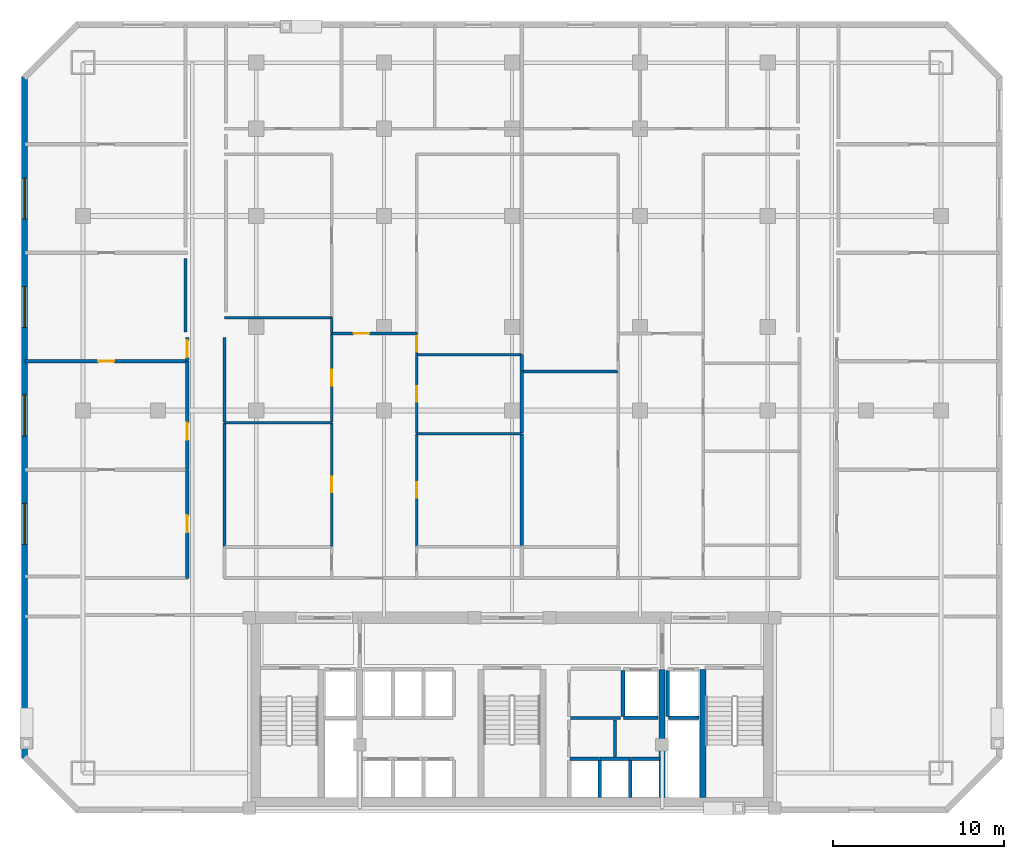
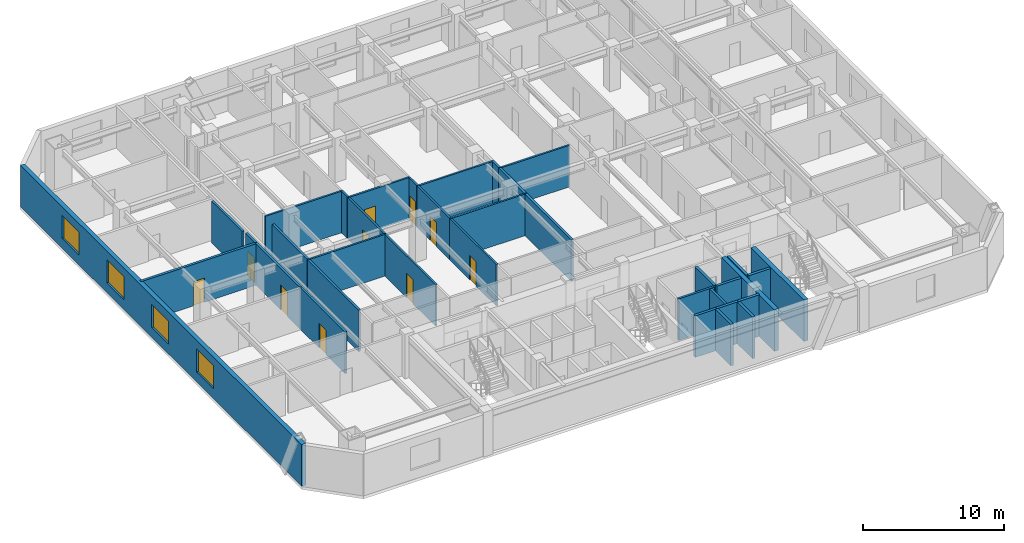
# One storey, part 4 of 9: 36 walls, 10 doors, 4 windows, 14 openings.
"""IFC4 building model written with IfcOpenShell, lengths in metres."""

import ifcopenshell
import ifcopenshell.guid

model = None  # the IFC model being written
_history = None  # IfcOwnerHistory: only IFC2X3 demands one
_inside = {}  # id of a spatial element -> (the spatial element, [elements in it])
_under = {}  # id of a project, library or spatial element -> (it, [spatial elements below it])
_declared = {}  # id of a project -> (the project, [libraries it declares])
_typed = {}  # id of a type object -> (the type object, [elements of that type])
_made_of = {}  # id of a material, layer set ... -> (it, [elements and type objects made of it])


def new_model(schema):
    """Start an empty IFC model of exactly this schema.

    Asked for "IFC4X3", IfcOpenShell would pick the latest addendum, in which some entities
    have other attributes; the version numbers below select the first issue.
    IFC2X3 requires an IfcOwnerHistory on every rooted entity: one is made here for all.
    """
    global model, _history
    if schema == "IFC4X3":
        model = ifcopenshell.file(schema_version=(4, 3, 0, 0))
    else:
        model = ifcopenshell.file(schema=schema)
    _inside.clear()
    _under.clear()
    _declared.clear()
    _typed.clear()
    _made_of.clear()
    _history = None
    if model.schema == "IFC2X3":
        org = make("IfcOrganization", Name="unknown")
        user = make(
            "IfcPersonAndOrganization",
            ThePerson=make("IfcPerson", FamilyName="unknown"),
            TheOrganization=org,
        )
        app = make(
            "IfcApplication",
            ApplicationDeveloper=org,
            Version="unknown",
            ApplicationFullName="unknown",
            ApplicationIdentifier="unknown",
        )
        _history = make(
            "IfcOwnerHistory",
            OwningUser=user,
            OwningApplication=app,
            ChangeAction="ADDED",
            CreationDate=0,
        )
    return model


def make(cls, **values):
    """One entity of the class cls with the attributes given. An attribute that is None is left unset."""
    return model.create_entity(
        cls, **{name: value for name, value in values.items() if value is not None}
    )


def rooted(cls, **values):
    """An entity with a GlobalId (a new one), such as an element, a storey or a relation."""
    return make(cls, GlobalId=ifcopenshell.guid.new(), OwnerHistory=_history, **values)


def si_unit(unit_type, name, prefix=None):
    """IfcSIUnit, for example si_unit("LENGTHUNIT", "METRE", prefix="MILLI")."""
    return make("IfcSIUnit", UnitType=unit_type, Prefix=prefix, Name=name)


def assignment(units):
    """IfcUnitAssignment: the units of a project."""
    return None if units is None else make("IfcUnitAssignment", Units=units)


def point(xyz):
    """IfcCartesianPoint."""
    return None if xyz is None else make("IfcCartesianPoint", Coordinates=xyz)


def direction(xyz):
    """IfcDirection."""
    return None if xyz is None else make("IfcDirection", DirectionRatios=xyz)


def frame(location, z_axis=None, x_axis=None):
    """IfcAxis2Placement3D, a coordinate frame: its origin and axes. An axis left out is left unset."""
    return make(
        "IfcAxis2Placement3D",
        Location=point(location),
        Axis=direction(z_axis),
        RefDirection=direction(x_axis),
    )


def frame_2d(location, x_axis=None):
    """IfcAxis2Placement2D, a coordinate frame in the plane: its origin and x axis."""
    return make(
        "IfcAxis2Placement2D", Location=point(location), RefDirection=direction(x_axis)
    )


def origin():
    """The frame at (0, 0, 0) with its axes left unset."""
    return frame((0.0, 0.0, 0.0))


def place(relative_to, where):
    """IfcLocalPlacement: puts the frame where relative to a parent placement (None: the world)."""
    return make(
        "IfcLocalPlacement", PlacementRelTo=relative_to, RelativePlacement=where
    )


def context(
    kind, dimensions, precision=None, world=None, true_north=None, identifier=None
):
    """IfcGeometricRepresentationContext, for example the 3D "Model" context."""
    return make(
        "IfcGeometricRepresentationContext",
        ContextIdentifier=identifier,
        ContextType=kind,
        CoordinateSpaceDimension=dimensions,
        Precision=precision,
        WorldCoordinateSystem=world,
        TrueNorth=true_north,
    )


def subcontext(parent, identifier, kind, view, scale=None):
    """IfcGeometricRepresentationSubContext, for example "Body" below "Model"."""
    return make(
        "IfcGeometricRepresentationSubContext",
        ContextIdentifier=identifier,
        ContextType=kind,
        ParentContext=parent,
        TargetScale=scale,
        TargetView=view,
    )


def project(units=None, contexts=None):
    """IfcProject with its units and contexts."""
    return rooted(
        "IfcProject",
        Name="project",
        RepresentationContexts=contexts,
        UnitsInContext=assignment(units),
    )


def spatial(cls, under=None, at=None, **own):
    """A site, building, storey or space (cls), placed at a placement, below another one or the project."""
    s = rooted(cls, ObjectPlacement=at, **own)
    if under is not None:
        _under.setdefault(under.id(), (under, []))[1].append(s)
    return s


def profile(cls, at=None, kind="AREA", **sizes):
    """A parametric profile (cls). Its sizes go by their IFC names, for example OverallWidth=200.0."""
    return make(cls, ProfileType=kind, Position=at, **sizes)


def rectangle(**sizes):
    """IfcRectangleProfileDef."""
    return profile("IfcRectangleProfileDef", **sizes)


def extrude(swept, where, along, depth):
    """IfcExtrudedAreaSolid: the profile swept, set in the frame where, extruded along a direction by depth."""
    return make(
        "IfcExtrudedAreaSolid",
        SweptArea=swept,
        Position=where,
        ExtrudedDirection=direction(along),
        Depth=depth,
    )


def shape(context_of_items, identifier, shape_type, items):
    """IfcShapeRepresentation: the items that make up one representation, for example the "Body"."""
    return make(
        "IfcShapeRepresentation",
        ContextOfItems=context_of_items,
        RepresentationIdentifier=identifier,
        RepresentationType=shape_type,
        Items=items,
    )


def material(Name=None, Category=None):
    """IfcMaterial."""
    return make("IfcMaterial", Name=Name, Category=Category)


def layer(
    of_material, thickness, ventilated=None, Name=None, Category=None, Priority=None
):
    """IfcMaterialLayer: one layer of a wall or slab, of a material (None: an air gap)."""
    return make(
        "IfcMaterialLayer",
        Material=of_material,
        LayerThickness=thickness,
        IsVentilated=ventilated,
        Name=Name,
        Category=Category,
        Priority=Priority,
    )


def layer_set(layers, Name=None):
    """IfcMaterialLayerSet."""
    return make("IfcMaterialLayerSet", MaterialLayers=layers, LayerSetName=Name)


def made_of(thing, what):
    """Note that an element or type object is made of a material, layer set ...; save() writes the relation."""
    if what is not None:
        _made_of.setdefault(what.id(), (what, []))[1].append(thing)
    return thing


def type_object(cls, material=None, **own):
    """A type object (cls), such as IfcWallType, which elements share."""
    return made_of(rooted(cls, **own), material)


def element(
    cls,
    number,
    at=None,
    inside=None,
    cuts=None,
    type_object=None,
    material=None,
    context=None,
    identifier="Body",
    shape_type=None,
    held_by="IfcProductDefinitionShape",
    body=None,
    shapes=None,
    **own,
):
    """One element of the class cls, such as IfcWall. Its Tag is "e" and its number.

    at: its placement. inside: the storey or other place that contains it. cuts: it is an
    opening in that element (IfcRelVoidsElement). A single representation is given by context,
    identifier, shape_type and body (its items); several are given by shapes. held_by: the class
    of the entity that holds the representations. save() writes the other relations.
    """
    e = rooted(cls, Tag="e%d" % number, ObjectPlacement=at, **own)
    if body is not None:
        shapes = [shape(context, identifier, shape_type, body)]
    if shapes is not None:
        e.Representation = make(held_by, Representations=shapes)
    if inside is not None:
        _inside.setdefault(inside.id(), (inside, []))[1].append(e)
    if cuts is not None:
        rooted(
            "IfcRelVoidsElement", RelatingBuildingElement=cuts, RelatedOpeningElement=e
        )
    if type_object is not None:
        _typed.setdefault(type_object.id(), (type_object, []))[1].append(e)
    return made_of(e, material)


def fill(opening, filler):
    """IfcRelFillsElement: the door or window that sits in an opening."""
    return rooted(
        "IfcRelFillsElement",
        RelatingOpeningElement=opening,
        RelatedBuildingElement=filler,
    )


def aggregate(whole, parts):
    """IfcRelAggregates: a whole, such as a stair, and the parts it consists of."""
    return rooted("IfcRelAggregates", RelatingObject=whole, RelatedObjects=parts)


def save(model, path):
    """Write the relations noted so far, then the file.

    IfcRelAggregates (storeys below a building ...), IfcRelContainedInSpatialStructure (elements
    in a storey), IfcRelDefinesByType, IfcRelAssociatesMaterial and IfcRelDeclares: one each for
    every whole, place, type object, material and project.
    """
    for whole, parts in _under.values():
        aggregate(whole, parts)
    for where, things in _inside.values():
        rooted(
            "IfcRelContainedInSpatialStructure",
            RelatedElements=things,
            RelatingStructure=where,
        )
    for kind, things in _typed.values():
        rooted("IfcRelDefinesByType", RelatedObjects=things, RelatingType=kind)
    for what, things in _made_of.values():
        rooted("IfcRelAssociatesMaterial", RelatedObjects=things, RelatingMaterial=what)
    for by, libraries in _declared.values():
        rooted("IfcRelDeclares", RelatingContext=by, RelatedDefinitions=libraries)
    model.write(path)


model = new_model("IFC4")

# Units and contexts
model_context = context("Model", 3, precision=1e-05, world=origin(), true_north=direction((0.0, 1.0)))
body_context = subcontext(model_context, "Body", "Model", "MODEL_VIEW")
ifc_project = project(units=[si_unit("LENGTHUNIT", "METRE"), si_unit("AREAUNIT", "SQUARE_METRE"), si_unit("VOLUMEUNIT", "CUBIC_METRE"), si_unit("PLANEANGLEUNIT", "RADIAN"), si_unit("MASSUNIT", "GRAM", prefix="KILO")], contexts=[model_context])

# Site, building, storey
site_placement = place(None, origin())
site = spatial("IfcSite", under=ifc_project, at=site_placement, CompositionType="ELEMENT")
building_placement = place(site_placement, origin())
building = spatial("IfcBuilding", under=site, at=building_placement, Name="Ventersveld Concourse Tower", CompositionType="ELEMENT")
storey_placement = place(building_placement, frame((0.0, 0.0, 84.89990234375)))
storey = spatial("IfcBuildingStorey", under=building, at=storey_placement, Name="L20", CompositionType="ELEMENT", Elevation=84.89990234375)

# Walls
ifc_material_1 = material(Name="Concrete C60/75", Category="concrete")
ifc_layer_1 = layer(ifc_material_1, 0.35009765625)
ifc_layer_set_1 = layer_set([ifc_layer_1], Name="Concrete C60/75")
wall_type_1 = type_object("IfcWallType", Name="WL-CORE-350L", PredefinedType="SHEAR", material=ifc_layer_set_1)
for number, where, z_axis, x_axis, name in (
    (1, (37.550048828125, 0.919921875, 0.0), (0.0, 0.0, 1.0), (0.0, 1.0, 0.0), "L20 Core Internal Shear Web W-SVL-W"),
    (2, (39.9599609375, 0.919921875, 0.0), (0.0, 0.0, 1.0), (0.0, 1.0, 0.0), "L20 Core Internal Shear Web W-ST2-W"),
):
    element("IfcWall", number, at=place(storey_placement, frame(where, z_axis=z_axis, x_axis=x_axis)), inside=storey, type_object=wall_type_1, Name=name, PredefinedType="SHEAR", context=body_context, shape_type="SweptSolid", body=[
        extrude(rectangle(XDim=7.5, YDim=0.35009765625, at=frame_2d((3.75, 0.0))), origin(), (0.0, 0.0, 1.0), 3.60009765625),
    ])
ifc_material_2 = material(Name="Fire-rated autoclaved aerated masonry blockwork", Category="masonry")
ifc_layer_2 = layer(ifc_material_2, 0.179931640625)
ifc_layer_set_2 = layer_set([ifc_layer_2], Name="Fire-rated autoclaved aerated masonry blockwork")
wall_type_2 = type_object("IfcWallType", Name="WL-CORR-180", PredefinedType="PARTITIONING", material=ifc_layer_set_2)
wall_1_placement = place(storey_placement, frame((32.179931640625, 5.570068359375, 0.0), z_axis=(0.0, 0.0, 1.0), x_axis=(1.0, 0.0, 0.0)))
element("IfcWall", 3, at=wall_1_placement, inside=storey, type_object=wall_type_2, Name="L20 Core Bot Wall SP-L20-CBAY1", PredefinedType="PARTITIONING", context=body_context, shape_type="SweptSolid", body=[
    extrude(rectangle(XDim=2.920166015625, YDim=0.179931640625, at=frame_2d((1.4599609375, 0.0))), origin(), (0.0, 0.0, 1.0), 3.60009765625),
])
wall_2_placement = place(storey_placement, frame((34.780029296875, 3.280029296875, 0.0), z_axis=(0.0, 0.0, 1.0), x_axis=(0.0, 1.0, 0.0)))
element("IfcWall", 4, at=wall_2_placement, inside=storey, type_object=wall_type_2, Name="L20 Core East Wall SP-L20-CBAY2", PredefinedType="PARTITIONING", context=body_context, shape_type="SweptSolid", body=[
    extrude(rectangle(XDim=2.169921875, YDim=0.179931640625, at=frame_2d((1.0849609375, 0.0))), origin(), (0.0, 0.0, 1.0), 3.60009765625),
])

# Wall, opening, door
wall_3_placement = place(storey_placement, frame((9.7099609375, 13.764892578125, 0.0), z_axis=(0.0, 0.0, 1.0), x_axis=(0.0, 1.0, 0.0)))
wall_3 = element("IfcWall", 5, at=wall_3_placement, inside=storey, type_object=wall_type_2, Name="L20 Interior Partition SP-L20-COR-SP-L20-NWLNG1", PredefinedType="PARTITIONING", context=body_context, shape_type="SweptSolid", body=[
    extrude(rectangle(XDim=6.3701171875, YDim=0.179931640625, at=frame_2d((3.18505859375, 0.0))), origin(), (0.0, 0.0, 1.0), 3.60009765625),
])
opening_1_placement = place(wall_3_placement, frame((2.68505859375, 0.0, 0.0)))
opening_1 = element("IfcOpeningElement", 6, at=opening_1_placement, cuts=wall_3, Name="Opening FD3", PredefinedType="OPENING", context=body_context, shape_type="SweptSolid", body=[
    extrude(rectangle(XDim=1.0, YDim=2.14990234375, at=frame_2d((0.5, 1.074951171875))), frame((0.0, 0.10009765625, 0.0), z_axis=(0.0, -1.0, 0.0), x_axis=(1.0, 0.0, 0.0)), (0.0, 0.0, 1.0), 0.199951171875),
])
ifc_material_3 = material(Name="Solid-core hardwood veneer timber", Category="wood")
door_type_1 = type_object("IfcDoorType", Name="DR-FLAT-100", OperationType="NOTDEFINED", PredefinedType="DOOR", material=ifc_material_3)
door_1_placement = place(opening_1_placement, origin())
door_1 = element("IfcDoor", 7, at=door_1_placement, inside=storey, type_object=door_type_1, Name="L20 Interior Door SP-L20-COR to SP-L20-NWLNG1 (D-L20-0955)", OperationType="SINGLE_SWING_LEFT", OverallHeight=2.14990234375, OverallWidth=1.0, PredefinedType="DOOR", context=body_context, shape_type="SweptSolid", body=[
    extrude(rectangle(XDim=1.0, YDim=2.14990234375, at=frame_2d((0.5, 1.074951171875))), frame((0.0, 0.02490234375, 0.0), z_axis=(0.0, -1.0, 0.0), x_axis=(1.0, 0.0, 0.0)), (0.0, 0.0, 1.0), 0.050048828125),
])
fill(opening_1, door_1)

wall_4_placement = place(storey_placement, frame((9.7099609375, 20.1650390625, 0.0), z_axis=(0.0, 0.0, 1.0), x_axis=(0.0, 1.0, 0.0)))
wall_4 = element("IfcWall", 8, at=wall_4_placement, inside=storey, type_object=wall_type_2, Name="L20 Interior Partition SP-L20-COR-SP-L20-NWLNG2", PredefinedType="PARTITIONING", context=body_context, shape_type="SweptSolid", body=[
    extrude(rectangle(XDim=6.330078125, YDim=0.179931640625, at=frame_2d((3.1650390625, 0.0))), origin(), (0.0, 0.0, 1.0), 3.60009765625),
])
opening_2_placement = place(wall_4_placement, frame((1.715576171875, 0.0, 0.0)))
opening_2 = element("IfcOpeningElement", 9, at=opening_2_placement, cuts=wall_4, Name="Opening FD3", PredefinedType="OPENING", context=body_context, shape_type="SweptSolid", body=[
    extrude(rectangle(XDim=1.0, YDim=2.14990234375, at=frame_2d((0.5, 1.074951171875))), frame((0.0, 0.10009765625, 0.0), z_axis=(0.0, -1.0, 0.0), x_axis=(1.0, 0.0, 0.0)), (0.0, 0.0, 1.0), 0.199951171875),
])
door_2_placement = place(opening_2_placement, origin())
door_2 = element("IfcDoor", 10, at=door_2_placement, inside=storey, type_object=door_type_1, Name="L20 Interior Door SP-L20-COR to SP-L20-NWLNG2 (D-L20-0956)", OperationType="SINGLE_SWING_RIGHT", OverallHeight=2.14990234375, OverallWidth=1.0, PredefinedType="DOOR", context=body_context, shape_type="SweptSolid", body=[
    extrude(rectangle(XDim=1.0, YDim=2.14990234375, at=frame_2d((0.5, 1.074951171875))), frame((0.0, 0.02490234375, 0.0), z_axis=(0.0, -1.0, 0.0), x_axis=(1.0, 0.0, 0.0)), (0.0, 0.0, 1.0), 0.050048828125),
])
fill(opening_2, door_2)

wall_5_placement = place(storey_placement, frame((9.7099609375, 26.52490234375, 0.0), z_axis=(0.0, 0.0, 1.0), x_axis=(0.0, 1.0, 0.0)))
wall_5 = element("IfcWall", 11, at=wall_5_placement, inside=storey, type_object=wall_type_2, Name="L20 Interior Partition SP-L20-COR-SP-L20-NWLNG3", PredefinedType="PARTITIONING", context=body_context, shape_type="SweptSolid", body=[
    extrude(rectangle(XDim=1.3701171875, YDim=0.179931640625, at=frame_2d((0.68505859375, 0.0))), origin(), (0.0, 0.0, 1.0), 3.60009765625),
])
opening_3_placement = place(wall_5_placement, frame((0.18505859375, 0.0, 0.0)))
opening_3 = element("IfcOpeningElement", 12, at=opening_3_placement, cuts=wall_5, Name="Opening FD3", PredefinedType="OPENING", context=body_context, shape_type="SweptSolid", body=[
    extrude(rectangle(XDim=1.0, YDim=2.14990234375, at=frame_2d((0.5, 1.074951171875))), frame((0.0, 0.10009765625, 0.0), z_axis=(0.0, -1.0, 0.0), x_axis=(1.0, 0.0, 0.0)), (0.0, 0.0, 1.0), 0.199951171875),
])
door_3_placement = place(opening_3_placement, origin())
door_3 = element("IfcDoor", 13, at=door_3_placement, inside=storey, type_object=door_type_1, Name="L20 Interior Door SP-L20-COR to SP-L20-NWLNG3 (D-L20-0957)", OperationType="SINGLE_SWING_LEFT", OverallHeight=2.14990234375, OverallWidth=1.0, PredefinedType="DOOR", context=body_context, shape_type="SweptSolid", body=[
    extrude(rectangle(XDim=1.0, YDim=2.14990234375, at=frame_2d((0.5, 1.074951171875))), frame((0.0, 0.02490234375, 0.0), z_axis=(0.0, -1.0, 0.0), x_axis=(1.0, 0.0, 0.0)), (0.0, 0.0, 1.0), 0.050048828125),
])
fill(opening_3, door_3)

# Walls
wall_6_placement = place(storey_placement, frame((11.889892578125, 15.635009765625, 0.0), z_axis=(0.0, 0.0, 1.0), x_axis=(0.0, 1.0, 0.0)))
element("IfcWall", 14, at=wall_6_placement, inside=storey, type_object=wall_type_2, Name="L20 Interior Partition SP-L20-COR-SP-L20-20N1-OFFL0", PredefinedType="PARTITIONING", context=body_context, shape_type="SweptSolid", body=[
    extrude(rectangle(XDim=7.24755859375, YDim=0.179931640625, at=frame_2d((3.623779296875, 0.0))), origin(), (0.0, 0.0, 1.0), 3.60009765625),
])
wall_7_placement = place(storey_placement, frame((11.889892578125, 22.91259765625, 0.0), z_axis=(0.0, 0.0, 1.0), x_axis=(0.0, 1.0, 0.0)))
element("IfcWall", 15, at=wall_7_placement, inside=storey, type_object=wall_type_2, Name="L20 Interior Partition SP-L20-COR-SP-L20-20N1-SEML2", PredefinedType="PARTITIONING", context=body_context, shape_type="SweptSolid", body=[
    extrude(rectangle(XDim=4.982421875, YDim=0.179931640625, at=frame_2d((2.4912109375, 0.0))), origin(), (0.0, 0.0, 1.0), 3.60009765625),
])
wall_8_placement = place(storey_placement, frame((9.6201171875, 32.52490234375, 0.0), z_axis=(0.0, 0.0, 1.0), x_axis=(0.0, -1.0, 0.0)))
element("IfcWall", 16, at=wall_8_placement, inside=storey, type_object=wall_type_2, Name="L20 Room Enclosure Wall SP-L20-NWLNG3", PredefinedType="PARTITIONING", context=body_context, shape_type="SweptSolid", body=[
    extrude(rectangle(XDim=4.31494140625, YDim=0.179931640625, at=frame_2d((2.157470703125, 0.0))), origin(), (0.0, 0.0, 1.0), 3.60009765625),
])

# Wall, opening, door
ifc_layer_3 = layer(ifc_material_2, 0.199951171875)
ifc_layer_set_3 = layer_set([ifc_layer_3], Name="Fire-rated autoclaved aerated masonry blockwork")
wall_type_3 = type_object("IfcWallType", Name="WL-DEMISE-200", PredefinedType="PARTITIONING", material=ifc_layer_set_3)
wall_9_placement = place(storey_placement, frame((0.2099609375, 26.489990234375, 0.0), z_axis=(0.0, 0.0, 1.0), x_axis=(1.0, 0.0, 0.0)))
wall_9 = element("IfcWall", 17, at=wall_9_placement, inside=storey, type_object=wall_type_3, Name="L20 Interior Partition SP-L20-NWLNG2-SP-L20-NWLNG3", PredefinedType="PARTITIONING", context=body_context, shape_type="SweptSolid", body=[
    extrude(rectangle(XDim=9.505126953125, YDim=0.199951171875, at=frame_2d((4.75244140625, 0.0))), origin(), (0.0, 0.0, 1.0), 3.60009765625),
])
opening_4_placement = place(wall_9_placement, frame((4.29248046875, 0.0, 0.0)))
opening_4 = element("IfcOpeningElement", 18, at=opening_4_placement, cuts=wall_9, Name="Opening ID1", PredefinedType="OPENING", context=body_context, shape_type="SweptSolid", body=[
    extrude(rectangle(XDim=0.919921875, YDim=2.10009765625, at=frame_2d((0.4599609375, 1.050048828125))), frame((0.0, 0.10986328125, 0.0), z_axis=(0.0, -1.0, 0.0), x_axis=(1.0, 0.0, 0.0)), (0.0, 0.0, 1.0), 0.219970703125),
])
door_type_2 = type_object("IfcDoorType", Name="DR-ROOM-092", OperationType="NOTDEFINED", PredefinedType="DOOR", material=ifc_material_3)
door_4_placement = place(opening_4_placement, origin())
door_4 = element("IfcDoor", 19, at=door_4_placement, inside=storey, type_object=door_type_2, Name="L20 Interior Door SP-L20-NWLNG2 to SP-L20-NWLNG3 (D-L20-0964)", OperationType="SINGLE_SWING_RIGHT", OverallHeight=2.10009765625, OverallWidth=0.919921875, PredefinedType="DOOR", context=body_context, shape_type="SweptSolid", body=[
    extrude(rectangle(XDim=0.919921875, YDim=2.10009765625, at=frame_2d((0.4599609375, 1.050048828125))), frame((0.0, 0.02490234375, 0.0), z_axis=(0.0, -1.0, 0.0), x_axis=(1.0, 0.0, 0.0)), (0.0, 0.0, 1.0), 0.050048828125),
])
fill(opening_4, door_4)

# Walls
wall_10_placement = place(storey_placement, frame((29.314208984375, 15.635009765625, 0.0), z_axis=(0.0, 0.0, 1.0), x_axis=(0.0, 1.0, 0.0)))
element("IfcWall", 20, at=wall_10_placement, inside=storey, type_object=wall_type_3, Name="L20 Interior Partition SP-L20-20N1-OFFR1-SP-L20-20N2-OFFL0", PredefinedType="PARTITIONING", context=body_context, shape_type="SweptSolid", body=[
    extrude(rectangle(XDim=6.602783203125, YDim=0.199951171875, at=frame_2d((3.30126953125, 0.0))), origin(), (0.0, 0.0, 1.0), 3.60009765625),
])
wall_11_placement = place(storey_placement, frame((29.314208984375, 22.267578125, 0.0), z_axis=(0.0, 0.0, 1.0), x_axis=(0.0, 1.0, 0.0)))
element("IfcWall", 21, at=wall_11_placement, inside=storey, type_object=wall_type_3, Name="L20 Interior Partition SP-L20-20N1-SEMR3-SP-L20-20N2-OFFL0", PredefinedType="PARTITIONING", context=body_context, shape_type="SweptSolid", body=[
    extrude(rectangle(XDim=3.623779296875, YDim=0.199951171875, at=frame_2d((1.81201171875, 0.0))), origin(), (0.0, 0.0, 1.0), 3.60009765625),
])
wall_12_placement = place(storey_placement, frame((29.314208984375, 25.92138671875, 0.0), z_axis=(0.0, 0.0, 1.0), x_axis=(0.0, 1.0, 0.0)))
element("IfcWall", 22, at=wall_12_placement, inside=storey, type_object=wall_type_3, Name="L20 Interior Partition SP-L20-20N1-SEMR3-SP-L20-20N2-SEML2", PredefinedType="PARTITIONING", context=body_context, shape_type="SweptSolid", body=[
    extrude(rectangle(XDim=0.961669921875, YDim=0.199951171875, at=frame_2d((0.48095703125, 0.0))), origin(), (0.0, 0.0, 1.0), 3.60009765625),
])
ifc_layer_4 = layer(ifc_material_2, 0.219970703125)
ifc_layer_set_4 = layer_set([ifc_layer_4], Name="Fire-rated autoclaved aerated masonry blockwork")
wall_type_4 = type_object("IfcWallType", Name="WL-HOIST-220", PredefinedType="SOLIDWALL", material=ifc_layer_set_4)
wall_13_placement = place(storey_placement, frame((37.919921875, 5.590087890625, 0.0), z_axis=(0.0, 0.0, 1.0), x_axis=(1.0, 0.0, 0.0)))
element("IfcWall", 23, at=wall_13_placement, inside=storey, type_object=wall_type_4, Name="L20 Lift Hoistway Back Wall FFL-02", PredefinedType="SOLIDWALL", context=body_context, shape_type="SweptSolid", body=[
    extrude(rectangle(XDim=1.780029296875, YDim=0.219970703125, at=frame_2d((0.89013671875, 0.0))), origin(), (0.0, 0.0, 1.0), 3.60009765625),
])
wall_14_placement = place(storey_placement, frame((37.8798828125, 5.64990234375, 0.0), z_axis=(0.0, 0.0, 1.0), x_axis=(0.0, 1.0, 0.0)))
element("IfcWall", 24, at=wall_14_placement, inside=storey, type_object=wall_type_4, Name="L20 Lift Hoistway Side Wall FFL-02W", PredefinedType="SOLIDWALL", context=body_context, shape_type="SweptSolid", body=[
    extrude(rectangle(XDim=2.7001953125, YDim=0.219970703125, at=frame_2d((1.35009765625, 0.0))), origin(), (0.0, 0.0, 1.0), 3.60009765625),
])
wall_15_placement = place(storey_placement, frame((35.300048828125, 5.590087890625, 0.0), z_axis=(0.0, 0.0, 1.0), x_axis=(1.0, 0.0, 0.0)))
element("IfcWall", 25, at=wall_15_placement, inside=storey, type_object=wall_type_4, Name="L20 Lift Hoistway Back Wall SVL-01", PredefinedType="SOLIDWALL", context=body_context, shape_type="SweptSolid", body=[
    extrude(rectangle(XDim=2.0, YDim=0.219970703125, at=frame_2d((1.0, 0.0))), origin(), (0.0, 0.0, 1.0), 3.60009765625),
])
wall_16_placement = place(storey_placement, frame((35.260009765625, 5.64990234375, 0.0), z_axis=(0.0, 0.0, 1.0), x_axis=(0.0, 1.0, 0.0)))
element("IfcWall", 26, at=wall_16_placement, inside=storey, type_object=wall_type_4, Name="L20 Lift Hoistway Side Wall SVL-01W", PredefinedType="SOLIDWALL", context=body_context, shape_type="SweptSolid", body=[
    extrude(rectangle(XDim=2.7001953125, YDim=0.219970703125, at=frame_2d((1.35009765625, 0.0))), origin(), (0.0, 0.0, 1.0), 3.60009765625),
])
wall_17_placement = place(storey_placement, frame((33.89990234375, 0.89990234375, 0.0), z_axis=(0.0, 0.0, 1.0), x_axis=(0.0, 1.0, 0.0)))
element("IfcWall", 27, at=wall_17_placement, inside=storey, type_object=wall_type_4, Name="L20 Lift Hoistway Side Wall PM-01E", PredefinedType="SOLIDWALL", context=body_context, shape_type="SweptSolid", body=[
    extrude(rectangle(XDim=2.2001953125, YDim=0.219970703125, at=frame_2d((1.10009765625, 0.0))), origin(), (0.0, 0.0, 1.0), 3.60009765625),
])
wall_18_placement = place(storey_placement, frame((32.139892578125, 3.179931640625, 0.0), z_axis=(0.0, 0.0, 1.0), x_axis=(1.0, 0.0, 0.0)))
element("IfcWall", 28, at=wall_18_placement, inside=storey, type_object=wall_type_4, Name="L20 Lift Hoistway Front Wall PM-01", PredefinedType="SOLIDWALL", context=body_context, shape_type="SweptSolid", body=[
    extrude(rectangle(XDim=1.739990234375, YDim=0.219970703125, at=frame_2d((0.8701171875, 0.0))), origin(), (0.0, 0.0, 1.0), 3.60009765625),
])
wall_19_placement = place(storey_placement, frame((35.679931640625, 0.89990234375, 0.0), z_axis=(0.0, 0.0, 1.0), x_axis=(0.0, 1.0, 0.0)))
element("IfcWall", 29, at=wall_19_placement, inside=storey, type_object=wall_type_4, Name="L20 Lift Hoistway Side Wall PM-02E", PredefinedType="SOLIDWALL", context=body_context, shape_type="SweptSolid", body=[
    extrude(rectangle(XDim=2.2001953125, YDim=0.219970703125, at=frame_2d((1.10009765625, 0.0))), origin(), (0.0, 0.0, 1.0), 3.60009765625),
])
for number, where, z_axis, x_axis, name in (
    (30, (33.919921875, 3.179931640625, 0.0), (0.0, 0.0, 1.0), (1.0, 0.0, 0.0), "L20 Lift Hoistway Front Wall PM-02"),
    (31, (35.699951171875, 3.179931640625, 0.0), (0.0, 0.0, 1.0), (1.0, 0.0, 0.0), "L20 Lift Hoistway Front Wall PM-03"),
):
    element("IfcWall", number, at=place(storey_placement, frame(where, z_axis=z_axis, x_axis=x_axis)), inside=storey, type_object=wall_type_4, Name=name, PredefinedType="SOLIDWALL", context=body_context, shape_type="SweptSolid", body=[
        extrude(rectangle(XDim=1.739990234375, YDim=0.219970703125, at=frame_2d((0.8701171875, 0.0))), origin(), (0.0, 0.0, 1.0), 3.60009765625),
    ])

# Wall, opening, door
ifc_material_4 = material(Name="Autoclaved aerated masonry blockwork", Category="masonry")
ifc_layer_5 = layer(ifc_material_4, 0.14990234375)
ifc_layer_set_5 = layer_set([ifc_layer_5], Name="Autoclaved aerated masonry blockwork")
wall_type_5 = type_object("IfcWallType", Name="WL-INT-150", PredefinedType="PARTITIONING", material=ifc_layer_set_5)
wall_20_placement = place(storey_placement, frame((18.1787109375, 28.11669921875, 0.0), z_axis=(0.0, 0.0, 1.0), x_axis=(1.0, 0.0, 0.0)))
wall_20 = element("IfcWall", 32, at=wall_20_placement, inside=storey, type_object=wall_type_5, Name="L20 Interior Partition SP-L20-20N1-FOY-SP-L20-20N1-LIV", PredefinedType="PARTITIONING", context=body_context, shape_type="SweptSolid", body=[
    extrude(rectangle(XDim=4.989990234375, YDim=0.14990234375, at=frame_2d((2.4951171875, 0.0))), origin(), (0.0, 0.0, 1.0), 3.60009765625),
])
opening_5_placement = place(wall_20_placement, frame((1.28662109375, 0.0, 0.0)))
opening_5 = element("IfcOpeningElement", 33, at=opening_5_placement, cuts=wall_20, Name="Opening ID1", PredefinedType="OPENING", context=body_context, shape_type="SweptSolid", body=[
    extrude(rectangle(XDim=0.919921875, YDim=2.10009765625, at=frame_2d((0.4599609375, 1.050048828125))), frame((0.0, 0.0849609375, 0.0), z_axis=(0.0, -1.0, 0.0), x_axis=(1.0, 0.0, 0.0)), (0.0, 0.0, 1.0), 0.169921875),
])
door_5_placement = place(opening_5_placement, origin())
door_5 = element("IfcDoor", 34, at=door_5_placement, inside=storey, type_object=door_type_2, Name="L20 Interior Door SP-L20-20N1-FOY to SP-L20-20N1-LIV (D-L20-0971)", OperationType="SINGLE_SWING_LEFT", OverallHeight=2.10009765625, OverallWidth=0.919921875, PredefinedType="DOOR", context=body_context, shape_type="SweptSolid", body=[
    extrude(rectangle(XDim=0.919921875, YDim=2.10009765625, at=frame_2d((0.4599609375, 1.050048828125))), frame((0.0, 0.02490234375, 0.0), z_axis=(0.0, -1.0, 0.0), x_axis=(1.0, 0.0, 0.0)), (0.0, 0.0, 1.0), 0.050048828125),
])
fill(opening_5, door_5)

wall_21_placement = place(storey_placement, frame((18.183837890625, 15.635009765625, 0.0), z_axis=(0.0, 0.0, 1.0), x_axis=(0.0, 1.0, 0.0)))
wall_21 = element("IfcWall", 35, at=wall_21_placement, inside=storey, type_object=wall_type_5, Name="L20 Interior Partition SP-L20-20N1-FOY-SP-L20-20N1-OFFL0", PredefinedType="PARTITIONING", context=body_context, shape_type="SweptSolid", body=[
    extrude(rectangle(XDim=7.24755859375, YDim=0.14990234375, at=frame_2d((3.623779296875, 0.0))), origin(), (0.0, 0.0, 1.0), 3.60009765625),
])
opening_6_placement = place(wall_21_placement, frame((3.163818359375, 0.0, 0.0)))
opening_6 = element("IfcOpeningElement", 36, at=opening_6_placement, cuts=wall_21, Name="Opening ID1", PredefinedType="OPENING", context=body_context, shape_type="SweptSolid", body=[
    extrude(rectangle(XDim=0.919921875, YDim=2.10009765625, at=frame_2d((0.4599609375, 1.050048828125))), frame((0.0, 0.0849609375, 0.0), z_axis=(0.0, -1.0, 0.0), x_axis=(1.0, 0.0, 0.0)), (0.0, 0.0, 1.0), 0.169921875),
])
door_6_placement = place(opening_6_placement, origin())
door_6 = element("IfcDoor", 37, at=door_6_placement, inside=storey, type_object=door_type_2, Name="L20 Interior Door SP-L20-20N1-FOY to SP-L20-20N1-OFFL0 (D-L20-0973)", OperationType="SINGLE_SWING_LEFT", OverallHeight=2.10009765625, OverallWidth=0.919921875, PredefinedType="DOOR", context=body_context, shape_type="SweptSolid", body=[
    extrude(rectangle(XDim=0.919921875, YDim=2.10009765625, at=frame_2d((0.4599609375, 1.050048828125))), frame((0.0, 0.02490234375, 0.0), z_axis=(0.0, -1.0, 0.0), x_axis=(1.0, 0.0, 0.0)), (0.0, 0.0, 1.0), 0.050048828125),
])
fill(opening_6, door_6)

wall_22_placement = place(storey_placement, frame((18.183837890625, 22.91259765625, 0.0), z_axis=(0.0, 0.0, 1.0), x_axis=(0.0, 1.0, 0.0)))
wall_22 = element("IfcWall", 38, at=wall_22_placement, inside=storey, type_object=wall_type_5, Name="L20 Interior Partition SP-L20-20N1-FOY-SP-L20-20N1-SEML2", PredefinedType="PARTITIONING", context=body_context, shape_type="SweptSolid", body=[
    extrude(rectangle(XDim=5.208984375, YDim=0.14990234375, at=frame_2d((2.6044921875, 0.0))), origin(), (0.0, 0.0, 1.0), 3.60009765625),
])
opening_7_placement = place(wall_22_placement, frame((2.14453125, 0.0, 0.0)))
opening_7 = element("IfcOpeningElement", 39, at=opening_7_placement, cuts=wall_22, Name="Opening ID1", PredefinedType="OPENING", context=body_context, shape_type="SweptSolid", body=[
    extrude(rectangle(XDim=0.919921875, YDim=2.10009765625, at=frame_2d((0.4599609375, 1.050048828125))), frame((0.0, 0.0849609375, 0.0), z_axis=(0.0, -1.0, 0.0), x_axis=(1.0, 0.0, 0.0)), (0.0, 0.0, 1.0), 0.169921875),
])
door_7_placement = place(opening_7_placement, origin())
door_7 = element("IfcDoor", 40, at=door_7_placement, inside=storey, type_object=door_type_2, Name="L20 Interior Door SP-L20-20N1-FOY to SP-L20-20N1-SEML2 (D-L20-0974)", OperationType="SINGLE_SWING_RIGHT", OverallHeight=2.10009765625, OverallWidth=0.919921875, PredefinedType="DOOR", context=body_context, shape_type="SweptSolid", body=[
    extrude(rectangle(XDim=0.919921875, YDim=2.10009765625, at=frame_2d((0.4599609375, 1.050048828125))), frame((0.0, 0.02490234375, 0.0), z_axis=(0.0, -1.0, 0.0), x_axis=(1.0, 0.0, 0.0)), (0.0, 0.0, 1.0), 0.050048828125),
])
fill(opening_7, door_7)

wall_23_placement = place(storey_placement, frame((23.163818359375, 15.635009765625, 0.0), z_axis=(0.0, 0.0, 1.0), x_axis=(0.0, 1.0, 0.0)))
wall_23 = element("IfcWall", 41, at=wall_23_placement, inside=storey, type_object=wall_type_5, Name="L20 Interior Partition SP-L20-20N1-FOY-SP-L20-20N1-OFFR1", PredefinedType="PARTITIONING", context=body_context, shape_type="SweptSolid", body=[
    extrude(rectangle(XDim=6.602783203125, YDim=0.14990234375, at=frame_2d((3.30126953125, 0.0))), origin(), (0.0, 0.0, 1.0), 3.60009765625),
])
opening_8_placement = place(wall_23_placement, frame((2.84130859375, 0.0, 0.0)))
opening_8 = element("IfcOpeningElement", 42, at=opening_8_placement, cuts=wall_23, Name="Opening ID1", PredefinedType="OPENING", context=body_context, shape_type="SweptSolid", body=[
    extrude(rectangle(XDim=0.919921875, YDim=2.10009765625, at=frame_2d((0.4599609375, 1.050048828125))), frame((0.0, 0.0849609375, 0.0), z_axis=(0.0, -1.0, 0.0), x_axis=(1.0, 0.0, 0.0)), (0.0, 0.0, 1.0), 0.169921875),
])
door_8_placement = place(opening_8_placement, origin())
door_8 = element("IfcDoor", 43, at=door_8_placement, inside=storey, type_object=door_type_2, Name="L20 Interior Door SP-L20-20N1-FOY to SP-L20-20N1-OFFR1 (D-L20-0976)", OperationType="SINGLE_SWING_RIGHT", OverallHeight=2.10009765625, OverallWidth=0.919921875, PredefinedType="DOOR", context=body_context, shape_type="SweptSolid", body=[
    extrude(rectangle(XDim=0.919921875, YDim=2.10009765625, at=frame_2d((0.4599609375, 1.050048828125))), frame((0.0, 0.02490234375, 0.0), z_axis=(0.0, -1.0, 0.0), x_axis=(1.0, 0.0, 0.0)), (0.0, 0.0, 1.0), 0.050048828125),
])
fill(opening_8, door_8)

wall_24_placement = place(storey_placement, frame((23.163818359375, 22.267578125, 0.0), z_axis=(0.0, 0.0, 1.0), x_axis=(0.0, 1.0, 0.0)))
wall_24 = element("IfcWall", 44, at=wall_24_placement, inside=storey, type_object=wall_type_5, Name="L20 Interior Partition SP-L20-20N1-FOY-SP-L20-20N1-SEMR3", PredefinedType="PARTITIONING", context=body_context, shape_type="SweptSolid", body=[
    extrude(rectangle(XDim=4.615478515625, YDim=0.14990234375, at=frame_2d((2.3076171875, 0.0))), origin(), (0.0, 0.0, 1.0), 3.60009765625),
])
opening_9_placement = place(wall_24_placement, frame((1.84765625, 0.0, 0.0)))
opening_9 = element("IfcOpeningElement", 45, at=opening_9_placement, cuts=wall_24, Name="Opening ID1", PredefinedType="OPENING", context=body_context, shape_type="SweptSolid", body=[
    extrude(rectangle(XDim=0.919921875, YDim=2.10009765625, at=frame_2d((0.4599609375, 1.050048828125))), frame((0.0, 0.0849609375, 0.0), z_axis=(0.0, -1.0, 0.0), x_axis=(1.0, 0.0, 0.0)), (0.0, 0.0, 1.0), 0.169921875),
])
door_9_placement = place(opening_9_placement, origin())
door_9 = element("IfcDoor", 46, at=door_9_placement, inside=storey, type_object=door_type_2, Name="L20 Interior Door SP-L20-20N1-FOY to SP-L20-20N1-SEMR3 (D-L20-0977)", OperationType="SINGLE_SWING_LEFT", OverallHeight=2.10009765625, OverallWidth=0.919921875, PredefinedType="DOOR", context=body_context, shape_type="SweptSolid", body=[
    extrude(rectangle(XDim=0.919921875, YDim=2.10009765625, at=frame_2d((0.4599609375, 1.050048828125))), frame((0.0, 0.02490234375, 0.0), z_axis=(0.0, -1.0, 0.0), x_axis=(1.0, 0.0, 0.0)), (0.0, 0.0, 1.0), 0.050048828125),
])
fill(opening_9, door_9)

wall_25_placement = place(storey_placement, frame((23.163818359375, 26.9130859375, 0.0), z_axis=(0.0, 0.0, 1.0), x_axis=(0.0, 1.0, 0.0)))
wall_25 = element("IfcWall", 47, at=wall_25_placement, inside=storey, type_object=wall_type_5, Name="L20 Interior Partition SP-L20-20N1-FOY-SP-L20-20N1-DENS2", PredefinedType="PARTITIONING", context=body_context, shape_type="SweptSolid", body=[
    extrude(rectangle(XDim=1.20849609375, YDim=0.14990234375, at=frame_2d((0.604248046875, 0.0))), origin(), (0.0, 0.0, 1.0), 3.60009765625),
])
opening_10_placement = place(wall_25_placement, frame((0.144287109375, 0.0, 0.0)))
opening_10 = element("IfcOpeningElement", 48, at=opening_10_placement, cuts=wall_25, Name="Opening ID1", PredefinedType="OPENING", context=body_context, shape_type="SweptSolid", body=[
    extrude(rectangle(XDim=0.919921875, YDim=2.10009765625, at=frame_2d((0.4599609375, 1.050048828125))), frame((0.0, 0.0849609375, 0.0), z_axis=(0.0, -1.0, 0.0), x_axis=(1.0, 0.0, 0.0)), (0.0, 0.0, 1.0), 0.169921875),
])
door_10_placement = place(opening_10_placement, origin())
door_10 = element("IfcDoor", 49, at=door_10_placement, inside=storey, type_object=door_type_2, Name="L20 Interior Door SP-L20-20N1-FOY to SP-L20-20N1-DENS2 (D-L20-0978)", OperationType="SINGLE_SWING_RIGHT", OverallHeight=2.10009765625, OverallWidth=0.919921875, PredefinedType="DOOR", context=body_context, shape_type="SweptSolid", body=[
    extrude(rectangle(XDim=0.919921875, YDim=2.10009765625, at=frame_2d((0.4599609375, 1.050048828125))), frame((0.0, 0.02490234375, 0.0), z_axis=(0.0, -1.0, 0.0), x_axis=(1.0, 0.0, 0.0)), (0.0, 0.0, 1.0), 0.050048828125),
])
fill(opening_10, door_10)

# Walls
wall_26_placement = place(storey_placement, frame((18.183837890625, 28.151611328125, 0.0), z_axis=(0.0, 0.0, 1.0), x_axis=(0.0, 1.0, 0.0)))
element("IfcWall", 50, at=wall_26_placement, inside=storey, type_object=wall_type_5, Name="L20 Interior Partition SP-L20-20N1-LIV-SP-L20-20N1-SEML2", PredefinedType="PARTITIONING", context=body_context, shape_type="SweptSolid", body=[
    extrude(rectangle(XDim=0.902099609375, YDim=0.14990234375, at=frame_2d((0.451171875, 0.0))), origin(), (0.0, 0.0, 1.0), 3.60009765625),
])
for number, where, z_axis, x_axis, name in (
    (51, (11.885009765625, 22.87744140625, 0.0), (0.0, 0.0, 1.0), (1.0, 0.0, 0.0), "L20 Interior Partition SP-L20-20N1-OFFL0-SP-L20-20N1-SEML2"),
    (52, (11.885009765625, 29.048583984375, 0.0), (0.0, 0.0, 1.0), (1.0, 0.0, 0.0), "L20 Interior Partition SP-L20-20N1-SEML2-SP-L20-20N1-SEML4"),
):
    element("IfcWall", number, at=place(storey_placement, frame(where, z_axis=z_axis, x_axis=x_axis)), inside=storey, type_object=wall_type_5, Name=name, PredefinedType="PARTITIONING", context=body_context, shape_type="SweptSolid", body=[
        extrude(rectangle(XDim=6.3037109375, YDim=0.14990234375, at=frame_2d((3.15185546875, 0.0))), origin(), (0.0, 0.0, 1.0), 3.60009765625),
    ])
for number, where, z_axis, x_axis, name in (
    (53, (23.15869140625, 22.232666015625, 0.0), (0.0, 0.0, 1.0), (1.0, 0.0, 0.0), "L20 Interior Partition SP-L20-20N1-OFFR1-SP-L20-20N1-SEMR3"),
    (54, (23.15869140625, 26.878173828125, 0.0), (0.0, 0.0, 1.0), (1.0, 0.0, 0.0), "L20 Interior Partition SP-L20-20N1-SEMR3-SP-L20-20N1-DENS2"),
):
    element("IfcWall", number, at=place(storey_placement, frame(where, z_axis=z_axis, x_axis=x_axis)), inside=storey, type_object=wall_type_5, Name=name, PredefinedType="PARTITIONING", context=body_context, shape_type="SweptSolid", body=[
        extrude(rectangle(XDim=6.160400390625, YDim=0.14990234375, at=frame_2d((3.080078125, 0.0))), origin(), (0.0, 0.0, 1.0), 3.60009765625),
    ])
wall_27_placement = place(storey_placement, frame((29.30908203125, 25.88623046875, 0.0), z_axis=(0.0, 0.0, 1.0), x_axis=(1.0, 0.0, 0.0)))
element("IfcWall", 55, at=wall_27_placement, inside=storey, type_object=wall_type_5, Name="L20 Interior Partition SP-L20-20N2-OFFL0-SP-L20-20N2-SEML2", PredefinedType="PARTITIONING", context=body_context, shape_type="SweptSolid", body=[
    extrude(rectangle(XDim=5.66796875, YDim=0.14990234375, at=frame_2d((2.833984375, 0.0))), origin(), (0.0, 0.0, 1.0), 3.60009765625),
])

# Wall, openings, windows
ifc_material_5 = material(Name="Precast concrete C45/55", Category="concrete")
ifc_layer_6 = layer(ifc_material_5, 0.35009765625)
ifc_layer_set_6 = layer_set([ifc_layer_6], Name="Precast concrete C45/55")
wall_type_6 = type_object("IfcWallType", Name="WL-PREC-350", PredefinedType="SOLIDWALL", material=ifc_layer_set_6)
wall_28_placement = place(storey_placement, frame((0.175048828125, 43.159912109375, 0.0), z_axis=(0.0, 0.0, 1.0), x_axis=(0.0, -1.0, 0.0)))
wall_28 = element("IfcWall", 56, at=wall_28_placement, inside=storey, type_object=wall_type_6, Name="L20 Highveld Precast Facade Wall E07", PredefinedType="SOLIDWALL", context=body_context, shape_type="SweptSolid", body=[
    extrude(rectangle(XDim=39.919921875, YDim=0.35009765625, at=frame_2d((19.9599609375, 0.0))), origin(), (0.0, 0.0, 1.0), 3.60009765625),
])
opening_11_placement = place(wall_28_placement, frame((25.010009765625, 0.0, 0.85009765625)))
opening_11 = element("IfcOpeningElement", 57, at=opening_11_placement, cuts=wall_28, Name="Opening W5", PredefinedType="OPENING", context=body_context, shape_type="SweptSolid", body=[
    extrude(rectangle(XDim=2.39990234375, YDim=2.0, at=frame_2d((1.199951171875, 1.0))), frame((0.0, 0.18505859375, 0.0), z_axis=(0.0, -1.0, 0.0), x_axis=(1.0, 0.0, 0.0)), (0.0, 0.0, 1.0), 0.3701171875),
])
opening_12_placement = place(wall_28_placement, frame((18.64990234375, 0.0, 0.85009765625)))
opening_12 = element("IfcOpeningElement", 58, at=opening_12_placement, cuts=wall_28, Name="Opening W5", PredefinedType="OPENING", context=body_context, shape_type="SweptSolid", body=[
    extrude(rectangle(XDim=2.39990234375, YDim=2.0, at=frame_2d((1.199951171875, 1.0))), frame((0.0, 0.18505859375, 0.0), z_axis=(0.0, -1.0, 0.0), x_axis=(1.0, 0.0, 0.0)), (0.0, 0.0, 1.0), 0.3701171875),
])
opening_13_placement = place(wall_28_placement, frame((12.2900390625, 0.0, 0.85009765625)))
opening_13 = element("IfcOpeningElement", 59, at=opening_13_placement, cuts=wall_28, Name="Opening W5", PredefinedType="OPENING", context=body_context, shape_type="SweptSolid", body=[
    extrude(rectangle(XDim=2.39990234375, YDim=2.0, at=frame_2d((1.199951171875, 1.0))), frame((0.0, 0.18505859375, 0.0), z_axis=(0.0, -1.0, 0.0), x_axis=(1.0, 0.0, 0.0)), (0.0, 0.0, 1.0), 0.3701171875),
])
opening_14_placement = place(wall_28_placement, frame((5.929931640625, 0.0, 0.85009765625)))
opening_14 = element("IfcOpeningElement", 60, at=opening_14_placement, cuts=wall_28, Name="Opening W5", PredefinedType="OPENING", context=body_context, shape_type="SweptSolid", body=[
    extrude(rectangle(XDim=2.39990234375, YDim=2.0, at=frame_2d((1.199951171875, 1.0))), frame((0.0, 0.18505859375, 0.0), z_axis=(0.0, -1.0, 0.0), x_axis=(1.0, 0.0, 0.0)), (0.0, 0.0, 1.0), 0.3701171875),
])
ifc_material_6 = material(Name="Tempered acoustic Low-E IGU", Category="glass")
window_type = type_object("IfcWindowType", Name="WIN-240x210", PartitioningType="SINGLE_PANEL", PredefinedType="WINDOW", material=ifc_material_6)
window_1_placement = place(opening_11_placement, origin())
window_1 = element("IfcWindow", 61, at=window_1_placement, inside=storey, type_object=window_type, Name="L20 Punched Low-E Window W-0208", OverallHeight=2.0, OverallWidth=2.39990234375, PartitioningType="SINGLE_PANEL", PredefinedType="WINDOW", context=body_context, shape_type="SweptSolid", body=[
    extrude(rectangle(XDim=2.39990234375, YDim=2.0, at=frame_2d((1.199951171875, 1.0))), frame((0.0, 0.030029296875, 0.0), z_axis=(0.0, -1.0, 0.0), x_axis=(1.0, 0.0, 0.0)), (0.0, 0.0, 1.0), 0.06005859375),
])
fill(opening_11, window_1)
window_2_placement = place(opening_12_placement, origin())
window_2 = element("IfcWindow", 62, at=window_2_placement, inside=storey, type_object=window_type, Name="L20 Punched Low-E Window W-0209", OverallHeight=2.0, OverallWidth=2.39990234375, PartitioningType="SINGLE_PANEL", PredefinedType="WINDOW", context=body_context, shape_type="SweptSolid", body=[
    extrude(rectangle(XDim=2.39990234375, YDim=2.0, at=frame_2d((1.199951171875, 1.0))), frame((0.0, 0.030029296875, 0.0), z_axis=(0.0, -1.0, 0.0), x_axis=(1.0, 0.0, 0.0)), (0.0, 0.0, 1.0), 0.06005859375),
])
fill(opening_12, window_2)
window_3_placement = place(opening_13_placement, origin())
window_3 = element("IfcWindow", 63, at=window_3_placement, inside=storey, type_object=window_type, Name="L20 Punched Low-E Window W-0210", OverallHeight=2.0, OverallWidth=2.39990234375, PartitioningType="SINGLE_PANEL", PredefinedType="WINDOW", context=body_context, shape_type="SweptSolid", body=[
    extrude(rectangle(XDim=2.39990234375, YDim=2.0, at=frame_2d((1.199951171875, 1.0))), frame((0.0, 0.030029296875, 0.0), z_axis=(0.0, -1.0, 0.0), x_axis=(1.0, 0.0, 0.0)), (0.0, 0.0, 1.0), 0.06005859375),
])
fill(opening_13, window_3)
window_4_placement = place(opening_14_placement, origin())
window_4 = element("IfcWindow", 64, at=window_4_placement, inside=storey, type_object=window_type, Name="L20 Punched Low-E Window W-0211", OverallHeight=2.0, OverallWidth=2.39990234375, PartitioningType="SINGLE_PANEL", PredefinedType="WINDOW", context=body_context, shape_type="SweptSolid", body=[
    extrude(rectangle(XDim=2.39990234375, YDim=2.0, at=frame_2d((1.199951171875, 1.0))), frame((0.0, 0.030029296875, 0.0), z_axis=(0.0, -1.0, 0.0), x_axis=(1.0, 0.0, 0.0)), (0.0, 0.0, 1.0), 0.06005859375),
])
fill(opening_14, window_4)

save(model, "model.ifc")
